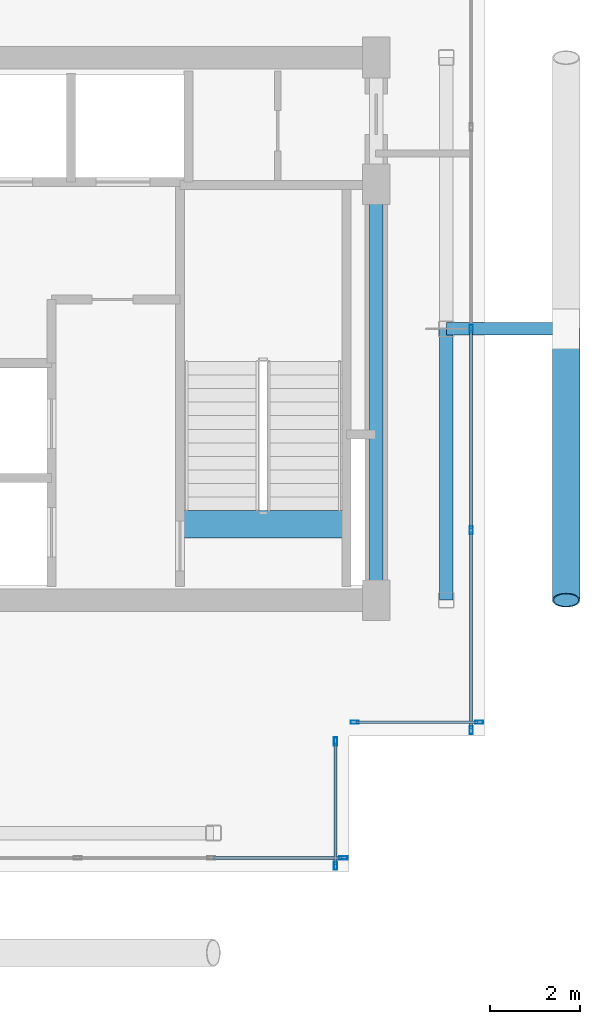
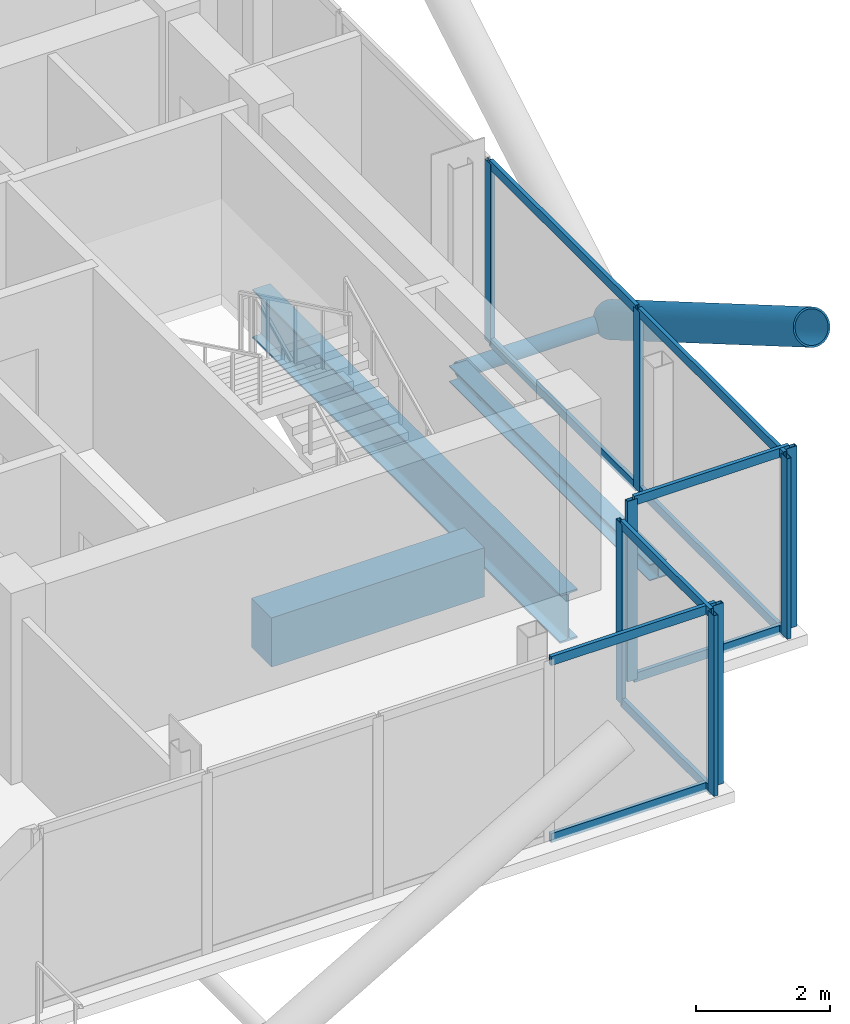
# One storey, part 11 of 18: 20 members, 3 beams, 4 elements without a shape of their own.
"""IFC4 building model written with IfcOpenShell, lengths in metres."""

from ifc_helpers import new_model, si_unit, direction, frame, origin, origin_2d, place, context, subcontext, project, spatial, rectangle, hollow_rectangle, hollow_circle, i_section, extrude, material, layer, layer_set, material_profile, profile_set, type_object, element, aggregate, save


model = new_model("IFC4")

# Units and contexts
model_context = context("Model", 3, precision=1e-05, world=origin(), true_north=direction((0.0, 1.0)))
body_context = subcontext(model_context, "Body", "Model", "MODEL_VIEW")
ifc_project = project(units=[si_unit("LENGTHUNIT", "METRE"), si_unit("AREAUNIT", "SQUARE_METRE"), si_unit("VOLUMEUNIT", "CUBIC_METRE"), si_unit("PLANEANGLEUNIT", "RADIAN"), si_unit("MASSUNIT", "GRAM", prefix="KILO"), si_unit("THERMODYNAMICTEMPERATUREUNIT", "KELVIN"), si_unit("POWERUNIT", "WATT")], contexts=[model_context])

# Site, building, storey
site_placement = place(None, origin())
site = spatial("IfcSite", under=ifc_project, at=site_placement, CompositionType="ELEMENT")
building_placement = place(site_placement, origin())
building = spatial("IfcBuilding", under=site, at=building_placement, Name="Svarakhadi Broadcast Tower", CompositionType="ELEMENT")
storey_placement = place(building_placement, frame((0.0, 0.0, 267.699951171875)))
storey = spatial("IfcBuildingStorey", under=building, at=storey_placement, Name="L67", CompositionType="ELEMENT", Elevation=267.699951171875)

# Curtain wall, members
ifc_material_1 = material(Name="Anodised Bronze Aluminium AA 6063-T6", Category="aluminium")
ifc_layer = layer(ifc_material_1, 0.179931640625)
ifc_layer_set = layer_set([ifc_layer], Name="Anodised Bronze Aluminium AA 6063-T6")
curtain_wall_type = type_object("IfcCurtainWallType", Name="CW_Sys_05", PredefinedType="NOTDEFINED", material=ifc_layer_set)
curtain_wall_1_placement = place(storey_placement, origin())
curtain_wall_1 = element("IfcCurtainWall", 1, at=curtain_wall_1_placement, inside=storey, type_object=curtain_wall_type, Name="L67 Unitised Facade Curtain Wall 13", PredefinedType="NOTDEFINED")
ifc_material_profile_1 = material_profile(ifc_material_1, hollow_rectangle(XDim=0.070068359375, YDim=0.179931640625, WallThickness=0.005615234375, at=origin_2d()), Name="ALU MULLION 180x70x6")
ifc_profile_set_1 = profile_set([ifc_material_profile_1], Name="Anodised Bronze Aluminium AA 6063-T6")
member_type_1 = type_object("IfcMemberType", Name="CW_Sys_05_Mul", PredefinedType="MULLION", material=ifc_profile_set_1)
member_1_placement = place(storey_placement, frame((35.699951171875, 12.0, 0.0), z_axis=(0.0, 0.0, 1.0), x_axis=(1.0, 0.0, 0.0)))
member_1 = element("IfcMember", 2, at=member_1_placement, type_object=member_type_1, Name="CW-05 mullion 3", PredefinedType="MULLION", context=body_context, shape_type="SweptSolid", body=[
    extrude(hollow_rectangle(XDim=0.070068359375, YDim=0.179931640625, WallThickness=0.005615234375, at=origin_2d()), origin(), (0.0, 0.0, 1.0), 3.300048828125),
])
member_2_placement = place(storey_placement, frame((35.699951171875, 7.544921875, 0.0), z_axis=(0.0, 0.0, 1.0), x_axis=(1.0, 0.0, 0.0)))
member_2 = element("IfcMember", 3, at=member_2_placement, type_object=member_type_1, Name="CW-05 mullion 4", PredefinedType="MULLION", context=body_context, shape_type="SweptSolid", body=[
    extrude(hollow_rectangle(XDim=0.070068359375, YDim=0.179931640625, WallThickness=0.005615234375, at=origin_2d()), origin(), (0.0, 0.0, 1.0), 3.300048828125),
])
member_3_placement = place(storey_placement, frame((35.699951171875, 3.125, 0.0), z_axis=(0.0, 0.0, 1.0), x_axis=(1.0, 0.0, 0.0)))
member_3 = element("IfcMember", 4, at=member_3_placement, type_object=member_type_1, Name="CW-05 mullion 5", PredefinedType="MULLION", context=body_context, shape_type="SweptSolid", body=[
    extrude(hollow_rectangle(XDim=0.070068359375, YDim=0.179931640625, WallThickness=0.005615234375, at=origin_2d()), origin(), (0.0, 0.0, 1.0), 3.300048828125),
])

curtain_wall_2_placement = place(storey_placement, origin())
curtain_wall_2 = element("IfcCurtainWall", 5, at=curtain_wall_2_placement, inside=storey, type_object=curtain_wall_type, Name="L67 Unitised Facade Curtain Wall 14", PredefinedType="NOTDEFINED")
member_4_placement = place(storey_placement, frame((35.875, 3.300048828125, 0.0), z_axis=(0.0, 0.0, 1.0), x_axis=(0.0, -1.0, 0.0)))
member_4 = element("IfcMember", 6, at=member_4_placement, type_object=member_type_1, Name="CW-05 mullion 1", PredefinedType="MULLION", context=body_context, shape_type="SweptSolid", body=[
    extrude(hollow_rectangle(XDim=0.070068359375, YDim=0.179931640625, WallThickness=0.005615234375, at=origin_2d()), origin(), (0.0, 0.0, 1.0), 3.300048828125),
])
member_5_placement = place(storey_placement, frame((33.125, 3.300048828125, 0.0), z_axis=(0.0, 0.0, 1.0), x_axis=(0.0, -1.0, 0.0)))
member_5 = element("IfcMember", 7, at=member_5_placement, type_object=member_type_1, Name="CW-05 mullion 2", PredefinedType="MULLION", context=body_context, shape_type="SweptSolid", body=[
    extrude(hollow_rectangle(XDim=0.070068359375, YDim=0.179931640625, WallThickness=0.005615234375, at=origin_2d()), origin(), (0.0, 0.0, 1.0), 3.300048828125),
])

curtain_wall_3_placement = place(storey_placement, origin())
curtain_wall_3 = element("IfcCurtainWall", 8, at=curtain_wall_3_placement, inside=storey, type_object=curtain_wall_type, Name="L67 Unitised Facade Curtain Wall 15", PredefinedType="NOTDEFINED")
member_6_placement = place(storey_placement, frame((32.699951171875, 2.875, 0.0), z_axis=(0.0, 0.0, 1.0), x_axis=(1.0, 0.0, 0.0)))
member_6 = element("IfcMember", 9, at=member_6_placement, type_object=member_type_1, Name="CW-05 mullion 1", PredefinedType="MULLION", context=body_context, shape_type="SweptSolid", body=[
    extrude(hollow_rectangle(XDim=0.070068359375, YDim=0.179931640625, WallThickness=0.005615234375, at=origin_2d()), origin(), (0.0, 0.0, 1.0), 3.300048828125),
])
member_7_placement = place(storey_placement, frame((32.699951171875, 0.125, 0.0), z_axis=(0.0, 0.0, 1.0), x_axis=(1.0, 0.0, 0.0)))
member_7 = element("IfcMember", 10, at=member_7_placement, type_object=member_type_1, Name="CW-05 mullion 2", PredefinedType="MULLION", context=body_context, shape_type="SweptSolid", body=[
    extrude(hollow_rectangle(XDim=0.070068359375, YDim=0.179931640625, WallThickness=0.005615234375, at=origin_2d()), origin(), (0.0, 0.0, 1.0), 3.300048828125),
])

# Curtain wall, member
curtain_wall_4_placement = place(storey_placement, origin())
curtain_wall_4 = element("IfcCurtainWall", 11, at=curtain_wall_4_placement, inside=storey, type_object=curtain_wall_type, Name="L67 South Curtain Wall 16", PredefinedType="NOTDEFINED")
member_8_placement = place(storey_placement, frame((32.875, 0.300048828125, 0.0), z_axis=(0.0, 0.0, 1.0), x_axis=(0.0, -1.0, 0.0)))
member_8 = element("IfcMember", 12, at=member_8_placement, type_object=member_type_1, Name="CW-05 mullion 1", PredefinedType="MULLION", context=body_context, shape_type="SweptSolid", body=[
    extrude(hollow_rectangle(XDim=0.070068359375, YDim=0.179931640625, WallThickness=0.005615234375, at=origin_2d()), origin(), (0.0, 0.0, 1.0), 3.300048828125),
])

# Member
ifc_material_profile_2 = material_profile(ifc_material_1, hollow_rectangle(XDim=0.06494140625, YDim=0.1650390625, WallThickness=0.0048828125, at=origin_2d()), Name="ALU TRANSOM 165x65x5")
ifc_profile_set_2 = profile_set([ifc_material_profile_2], Name="Anodised Bronze Aluminium AA 6063-T6")
member_type_2 = type_object("IfcMemberType", Name="CW_Sys_05_Trn", PredefinedType="USERDEFINED", material=ifc_profile_set_2)
member_9_placement = place(storey_placement, frame((35.699951171875, 11.965087890625, 0.032470703125), z_axis=(0.0, -1.0, 0.0), x_axis=(1.0, 0.0, 0.0)))
member_9 = element("IfcMember", 13, at=member_9_placement, type_object=member_type_2, Name="CW-05 transom 3.1", ObjectType="TRANSOM", PredefinedType="USERDEFINED", context=body_context, shape_type="SweptSolid", body=[
    extrude(hollow_rectangle(XDim=0.06494140625, YDim=0.1650390625, WallThickness=0.0048828125, at=origin_2d()), origin(), (0.0, 0.0, 1.0), 4.385009765625),
])

member_10_placement = place(storey_placement, frame((35.699951171875, 11.965087890625, 3.267578125), z_axis=(0.0, -1.0, 0.0), x_axis=(1.0, 0.0, 0.0)))
member_10 = element("IfcMember", 14, at=member_10_placement, type_object=member_type_2, Name="CW-05 transom 3.2", ObjectType="TRANSOM", PredefinedType="USERDEFINED", context=body_context, shape_type="SweptSolid", body=[
    extrude(hollow_rectangle(XDim=0.06494140625, YDim=0.1650390625, WallThickness=0.0048828125, at=origin_2d()), origin(), (0.0, 0.0, 1.0), 4.385009765625),
])

member_11_placement = place(storey_placement, frame((35.699951171875, 7.510009765625, 0.032470703125), z_axis=(0.0, -1.0, 0.0), x_axis=(1.0, 0.0, 0.0)))
member_11 = element("IfcMember", 15, at=member_11_placement, type_object=member_type_2, Name="CW-05 transom 4.1", ObjectType="TRANSOM", PredefinedType="USERDEFINED", context=body_context, shape_type="SweptSolid", body=[
    extrude(hollow_rectangle(XDim=0.06494140625, YDim=0.1650390625, WallThickness=0.0048828125, at=origin_2d()), origin(), (0.0, 0.0, 1.0), 4.35009765625),
])

member_12_placement = place(storey_placement, frame((35.699951171875, 7.510009765625, 3.267578125), z_axis=(0.0, -1.0, 0.0), x_axis=(1.0, 0.0, 0.0)))
member_12 = element("IfcMember", 16, at=member_12_placement, type_object=member_type_2, Name="CW-05 transom 4.2", ObjectType="TRANSOM", PredefinedType="USERDEFINED", context=body_context, shape_type="SweptSolid", body=[
    extrude(hollow_rectangle(XDim=0.06494140625, YDim=0.1650390625, WallThickness=0.0048828125, at=origin_2d()), origin(), (0.0, 0.0, 1.0), 4.35009765625),
])

aggregate(curtain_wall_1, [member_1, member_2, member_3, member_9, member_10, member_11, member_12])

member_13_placement = place(storey_placement, frame((35.840087890625, 3.300048828125, 0.032470703125), z_axis=(-1.0, 0.0, 0.0), x_axis=(0.0, -1.0, 0.0)))
member_13 = element("IfcMember", 17, at=member_13_placement, type_object=member_type_2, Name="CW-05 transom 1.1", ObjectType="TRANSOM", PredefinedType="USERDEFINED", context=body_context, shape_type="SweptSolid", body=[
    extrude(hollow_rectangle(XDim=0.06494140625, YDim=0.1650390625, WallThickness=0.0048828125, at=origin_2d()), origin(), (0.0, 0.0, 1.0), 2.68017578125),
])

member_14_placement = place(storey_placement, frame((35.840087890625, 3.300048828125, 3.267578125), z_axis=(-1.0, 0.0, 0.0), x_axis=(0.0, -1.0, 0.0)))
member_14 = element("IfcMember", 18, at=member_14_placement, type_object=member_type_2, Name="CW-05 transom 1.2", ObjectType="TRANSOM", PredefinedType="USERDEFINED", context=body_context, shape_type="SweptSolid", body=[
    extrude(hollow_rectangle(XDim=0.06494140625, YDim=0.1650390625, WallThickness=0.0048828125, at=origin_2d()), origin(), (0.0, 0.0, 1.0), 2.68017578125),
])

aggregate(curtain_wall_2, [member_4, member_5, member_13, member_14])

member_15_placement = place(storey_placement, frame((32.699951171875, 2.840087890625, 0.032470703125), z_axis=(0.0, -1.0, 0.0), x_axis=(1.0, 0.0, 0.0)))
member_15 = element("IfcMember", 19, at=member_15_placement, type_object=member_type_2, Name="CW-05 transom 1.1", ObjectType="TRANSOM", PredefinedType="USERDEFINED", context=body_context, shape_type="SweptSolid", body=[
    extrude(hollow_rectangle(XDim=0.06494140625, YDim=0.1650390625, WallThickness=0.0048828125, at=origin_2d()), origin(), (0.0, 0.0, 1.0), 2.68017578125),
])

member_16_placement = place(storey_placement, frame((32.699951171875, 2.840087890625, 3.267578125), z_axis=(0.0, -1.0, 0.0), x_axis=(1.0, 0.0, 0.0)))
member_16 = element("IfcMember", 20, at=member_16_placement, type_object=member_type_2, Name="CW-05 transom 1.2", ObjectType="TRANSOM", PredefinedType="USERDEFINED", context=body_context, shape_type="SweptSolid", body=[
    extrude(hollow_rectangle(XDim=0.06494140625, YDim=0.1650390625, WallThickness=0.0048828125, at=origin_2d()), origin(), (0.0, 0.0, 1.0), 2.68017578125),
])

aggregate(curtain_wall_3, [member_6, member_7, member_15, member_16])

member_17_placement = place(storey_placement, frame((32.840087890625, 0.300048828125, 0.032470703125), z_axis=(-1.0, 0.0, 0.0), x_axis=(0.0, -1.0, 0.0)))
member_17 = element("IfcMember", 21, at=member_17_placement, type_object=member_type_2, Name="CW-05 transom 1.1", ObjectType="TRANSOM", PredefinedType="USERDEFINED", context=body_context, shape_type="SweptSolid", body=[
    extrude(hollow_rectangle(XDim=0.06494140625, YDim=0.1650390625, WallThickness=0.0048828125, at=origin_2d()), origin(), (0.0, 0.0, 1.0), 2.85009765625),
])

member_18_placement = place(storey_placement, frame((32.840087890625, 0.300048828125, 3.267578125), z_axis=(-1.0, 0.0, 0.0), x_axis=(0.0, -1.0, 0.0)))
member_18 = element("IfcMember", 22, at=member_18_placement, type_object=member_type_2, Name="CW-05 transom 1.2", ObjectType="TRANSOM", PredefinedType="USERDEFINED", context=body_context, shape_type="SweptSolid", body=[
    extrude(hollow_rectangle(XDim=0.06494140625, YDim=0.1650390625, WallThickness=0.0048828125, at=origin_2d()), origin(), (0.0, 0.0, 1.0), 2.85009765625),
])

aggregate(curtain_wall_4, [member_8, member_17, member_18])

# Beam
ifc_material_2 = material(Name="Concrete C50/60 (IS 456 M60)", Category="concrete")
ifc_material_profile_3 = material_profile(ifc_material_2, rectangle(XDim=0.60009765625, YDim=0.89990234375, at=origin_2d()), Name="RC 600x900")
ifc_profile_set_3 = profile_set([ifc_material_profile_3], Name="Concrete C50/60 (IS 456 M60)")
beam_type_1 = type_object("IfcBeamType", Name="Coupling_RC600", PredefinedType="USERDEFINED", material=ifc_profile_set_3)
beam_1_placement = place(storey_placement, frame((29.260009765625, 7.679931640625, -0.449951171875), z_axis=(1.0, 0.0, 0.0), x_axis=(0.0, 1.0, 0.0)))
element("IfcBeam", 23, at=beam_1_placement, inside=storey, type_object=beam_type_1, Name="L67 Stair ST-02 Landing Throat Trimmer Beam CB-01", ObjectType="GIRDER", PredefinedType="USERDEFINED", context=body_context, shape_type="SweptSolid", body=[
    extrude(rectangle(XDim=0.60009765625, YDim=0.89990234375, at=origin_2d()), origin(), (0.0, 0.0, 1.0), 3.679931640625),
])

# Members
ifc_material_3 = material(Name="Steel S460ML (IS 2062 E450BR)", Category="steel")
ifc_material_profile_4 = material_profile(ifc_material_3, hollow_circle(Radius=0.304931640625, WallThickness=0.030029296875, at=origin_2d()), Name="CHS 610x30")
ifc_profile_set_4 = profile_set([ifc_material_profile_4], Name="Steel S460ML (IS 2062 E450BR)")
member_type_3 = type_object("IfcMemberType", Name="Exo_Brace_CHS610", PredefinedType="BRACE", material=ifc_profile_set_4)
member_19_placement = place(storey_placement, frame((37.800048828125, 12.0, -0.33642578125), z_axis=(0.0, -0.863778900898, 0.503871025524), x_axis=(1.0, 0.0, 0.0)))
element("IfcMember", 24, at=member_19_placement, inside=storey, type_object=member_type_3, Name="L67 Exposed Bronze Exoskeleton Diagonal E02", PredefinedType="BRACE", context=body_context, shape_type="SweptSolid", body=[
    extrude(hollow_circle(Radius=0.304931640625, WallThickness=0.030029296875, at=origin_2d()), origin(), (0.0, 0.0, 1.0), 6.9462890625),
])
ifc_material_profile_5 = material_profile(ifc_material_3, hollow_circle(Radius=0.136474609375, WallThickness=0.012451171875, at=origin_2d()), Name="CHS 273x12.5")
ifc_profile_set_5 = profile_set([ifc_material_profile_5], Name="Steel S460ML (IS 2062 E450BR)")
member_type_4 = type_object("IfcMemberType", Name="Exo_Radial_Strut_Z3", PredefinedType="STRUT", material=ifc_profile_set_5)
member_20_placement = place(storey_placement, frame((37.800048828125, 12.0, -0.33642578125), z_axis=(-1.0, 0.0, 0.0), x_axis=(0.0, -1.0, 0.0)))
element("IfcMember", 25, at=member_20_placement, inside=storey, type_object=member_type_4, Name="L67 Exoskeleton Radial Tie Strut E02", PredefinedType="STRUT", context=body_context, shape_type="SweptSolid", body=[
    extrude(hollow_circle(Radius=0.136474609375, WallThickness=0.012451171875, at=origin_2d()), origin(), (0.0, 0.0, 1.0), 2.650146484375),
])

# Beams
ifc_material_4 = material(Name="Steel S355J2 (IS 2062 E350C)", Category="steel")
ifc_material_profile_6 = material_profile(ifc_material_4, i_section(OverallWidth=0.300048828125, OverallDepth=0.300048828125, WebThickness=0.010986328125, FlangeThickness=0.01904296875, FilletRadius=0.027099609375, at=origin_2d()), Name="WPB 300x300x117")
ifc_profile_set_6 = profile_set([ifc_material_profile_6], Name="Steel S355J2 (IS 2062 E350C)")
beam_type_2 = type_object("IfcBeamType", Name="Girder_WPB300", PredefinedType="USERDEFINED", material=ifc_profile_set_6)
beam_2_placement = place(storey_placement, frame((35.14990234375, 6.0, -0.349853515625), z_axis=(0.0, 1.0, 0.0), x_axis=(-1.0, 0.0, 0.0)))
element("IfcBeam", 26, at=beam_2_placement, inside=storey, type_object=beam_type_2, Name="L67 Primary N-S Girder G045", ObjectType="GIRDER", PredefinedType="USERDEFINED", context=body_context, shape_type="SweptSolid", body=[
    extrude(i_section(OverallWidth=0.300048828125, OverallDepth=0.300048828125, WebThickness=0.010986328125, FlangeThickness=0.01904296875, FilletRadius=0.027099609375, at=origin_2d()), origin(), (0.0, 0.0, 1.0), 6.0),
])
ifc_material_profile_7 = material_profile(ifc_material_3, i_section(OverallWidth=0.300048828125, OverallDepth=0.89990234375, WebThickness=0.0185546875, FlangeThickness=0.034912109375, FilletRadius=0.030029296875, at=origin_2d()), Name="WPB 900x300x291")
ifc_profile_set_7 = profile_set([ifc_material_profile_7], Name="Steel S460ML (IS 2062 E450BR)")
beam_type_3 = type_object("IfcBeamType", Name="Girder_WPB900", PredefinedType="USERDEFINED", material=ifc_profile_set_7)
beam_3_placement = place(storey_placement, frame((33.60009765625, 6.0, -0.64990234375), z_axis=(0.0, 1.0, 0.0), x_axis=(-1.0, 0.0, 0.0)))
element("IfcBeam", 27, at=beam_3_placement, inside=storey, type_object=beam_type_3, Name="L67 Primary N-S Girder G043", ObjectType="GIRDER", PredefinedType="USERDEFINED", context=body_context, shape_type="SweptSolid", body=[
    extrude(i_section(OverallWidth=0.300048828125, OverallDepth=0.89990234375, WebThickness=0.0185546875, FlangeThickness=0.034912109375, FilletRadius=0.030029296875, at=origin_2d()), origin(), (0.0, 0.0, 1.0), 9.199951171875),
])

save(model, "model.ifc")
